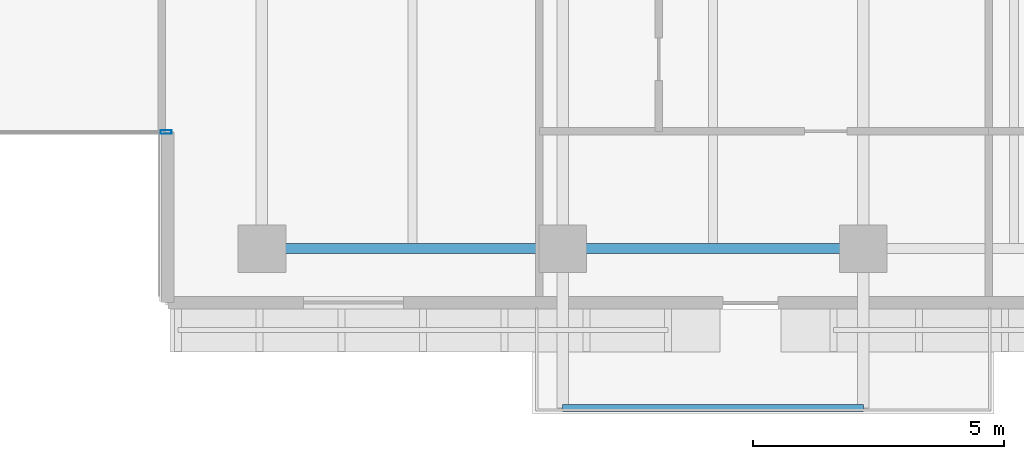
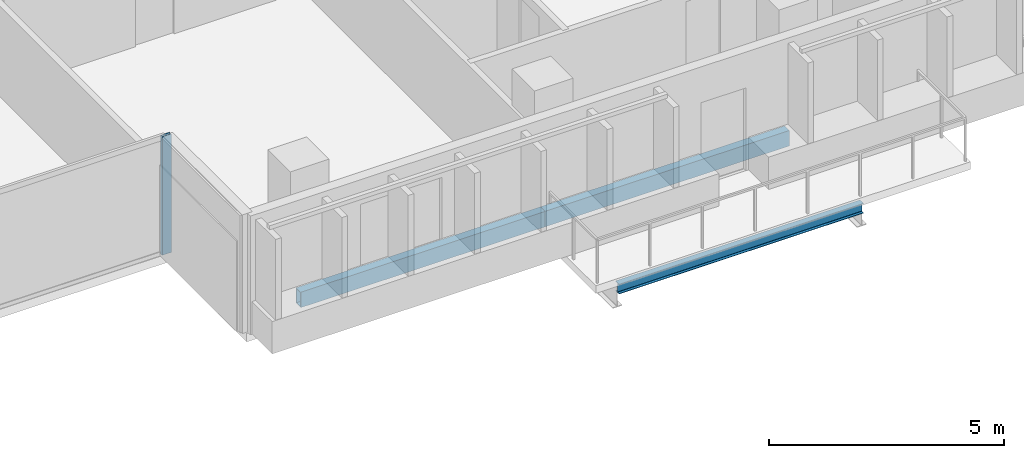
# One storey, part 4 of 23: 3 beams, 1 member, 1 element without a shape of its own.
"""IFC4 building model written with IfcOpenShell, lengths in metres."""

from ifc_helpers import new_model, si_unit, direction, frame, origin, origin_2d, place, context, subcontext, project, spatial, hollow_rectangle, i_section, extrude, material, layer, layer_set, material_profile, profile_set, type_object, element, aggregate, save


model = new_model("IFC4")

# Units and contexts
model_context = context("Model", 3, precision=1e-05, world=origin(), true_north=direction((0.0, 1.0)))
body_context = subcontext(model_context, "Body", "Model", "MODEL_VIEW")
ifc_project = project(units=[si_unit("LENGTHUNIT", "METRE"), si_unit("AREAUNIT", "SQUARE_METRE"), si_unit("VOLUMEUNIT", "CUBIC_METRE"), si_unit("PLANEANGLEUNIT", "RADIAN"), si_unit("MASSUNIT", "GRAM", prefix="KILO")], contexts=[model_context])

# Site, building, storey
site_placement = place(None, origin())
site = spatial("IfcSite", under=ifc_project, at=site_placement, CompositionType="ELEMENT")
building_placement = place(site_placement, origin())
building = spatial("IfcBuilding", under=site, at=building_placement, Name="Tanjung Sevakor Pilgrim Tower", CompositionType="ELEMENT")
storey_placement = place(building_placement, frame((0.0, 0.0, 105.27001953125)))
storey = spatial("IfcBuildingStorey", under=building, at=storey_placement, Name="L29", CompositionType="ELEMENT", Elevation=105.27001953125)

# Beams
ifc_material_1 = material(Name="Steel S355J2", Category="steel")
ifc_material_profile_1 = material_profile(ifc_material_1, i_section(OverallWidth=0.146484375, OverallDepth=0.256103515625, WebThickness=0.00634765625, FlangeThickness=0.010986328125, FilletRadius=0.007568359375, at=origin_2d()))
ifc_profile_set_1 = profile_set([ifc_material_profile_1], Name="Steel S355J2")
beam_type_1 = type_object("IfcBeamType", Name="BM-B-J6-UB_254x146x37", PredefinedType="JOIST", material=ifc_profile_set_1)
beam_placement = place(storey_placement, frame((60.0, 7.6201171875, -0.328125), z_axis=(1.0, 0.0, 0.0), x_axis=(0.0, 1.0, 0.0)))
element("IfcBeam", 1, at=beam_placement, inside=storey, type_object=beam_type_1, Name="L29 Balcony Rim Tie MAIN-S2", PredefinedType="JOIST", context=body_context, shape_type="SweptSolid", body=[
    extrude(i_section(OverallWidth=0.146484375, OverallDepth=0.256103515625, WebThickness=0.00634765625, FlangeThickness=0.010986328125, FilletRadius=0.007568359375, at=origin_2d()), origin(), (0.0, 0.0, 1.0), 6.0),
])
ifc_material_2 = material(Name="Steel S355J2", Category="steel")
ifc_material_profile_2 = material_profile(ifc_material_2, hollow_rectangle(XDim=0.199951171875, YDim=0.39990234375, WallThickness=0.01611328125, at=origin_2d()))
ifc_profile_set_2 = profile_set([ifc_material_profile_2], Name="Steel S355J2")
beam_type_2 = type_object("IfcBeamType", Name="BM-B-SP2-RHS_400x200x16", PredefinedType="SPANDREL", material=ifc_profile_set_2)
for number, where, z_axis, x_axis, name in (
    (2, (54.0, 10.800048828125, -0.419921875), (1.0, 0.0, 0.0), (0.0, 1.0, 0.0), "L29 Spandrel MAIN S-07"),
    (3, (60.0, 10.800048828125, -0.419921875), (1.0, 0.0, 0.0), (0.0, 1.0, 0.0), "L29 Spandrel MAIN S-09"),
):
    element("IfcBeam", number, at=place(storey_placement, frame(where, z_axis=z_axis, x_axis=x_axis)), inside=storey, type_object=beam_type_2, Name=name, PredefinedType="SPANDREL", context=body_context, shape_type="SweptSolid", body=[
        extrude(hollow_rectangle(XDim=0.199951171875, YDim=0.39990234375, WallThickness=0.01611328125, at=origin_2d()), origin(), (0.0, 0.0, 1.0), 6.0),
    ])

# Curtain wall, member
ifc_material_3 = material(Name="Aluminium 6063-T6 and Low-E Glass", Category="aluminium")
ifc_layer = layer(ifc_material_3, 0.179931640625)
ifc_layer_set = layer_set([ifc_layer], Name="CW-SYS-CLEFT")
curtain_wall_type = type_object("IfcCurtainWallType", Name="CW-SYS-CLEFT", PredefinedType="NOTDEFINED", material=ifc_layer_set)
curtain_wall_placement = place(storey_placement, origin())
curtain_wall = element("IfcCurtainWall", 4, at=curtain_wall_placement, inside=storey, type_object=curtain_wall_type, Name="L29 Curtain Wall CW-CLF-L29-2", PredefinedType="NOTDEFINED")
ifc_material_4 = material(Name="Aluminium 6063-T6", Category="aluminium")
ifc_material_profile_3 = material_profile(ifc_material_4, hollow_rectangle(XDim=0.074951171875, YDim=0.219970703125, WallThickness=0.0048828125, at=origin_2d()))
ifc_profile_set_3 = profile_set([ifc_material_profile_3], Name="Aluminium 6063-T6")
member_type = type_object("IfcMemberType", Name="TYPE-CWM-2", PredefinedType="MULLION", material=ifc_profile_set_3)
member_placement = place(storey_placement, frame((52.08740234375, 13.125, 0.0), z_axis=(0.0, 0.0, 1.0), x_axis=(0.0, 1.0, 0.0)))
member = element("IfcMember", 5, at=member_placement, type_object=member_type, Name="CW-CLF mullion 2", PredefinedType="MULLION", context=body_context, shape_type="SweptSolid", body=[
    extrude(hollow_rectangle(XDim=0.074951171875, YDim=0.219970703125, WallThickness=0.0048828125, at=origin_2d()), origin(), (0.0, 0.0, 1.0), 3.080078125),
])
aggregate(curtain_wall, [member])

save(model, "model.ifc")
